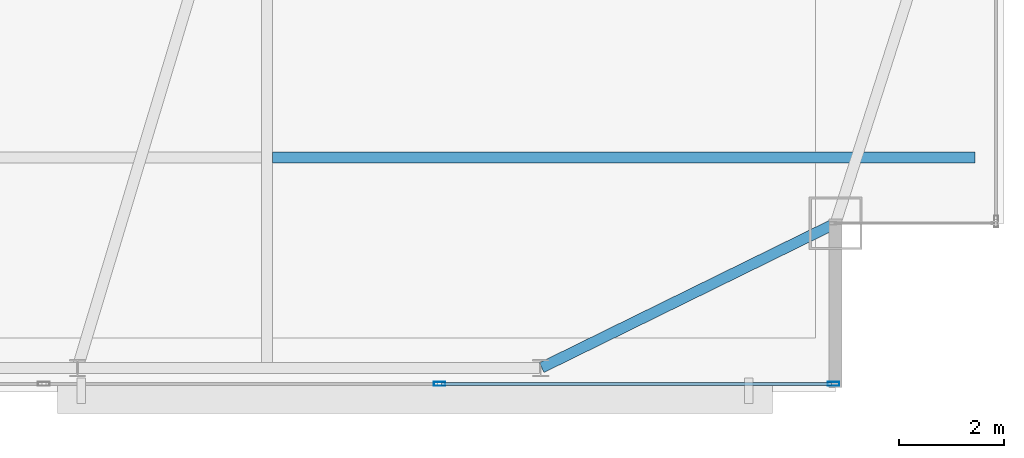
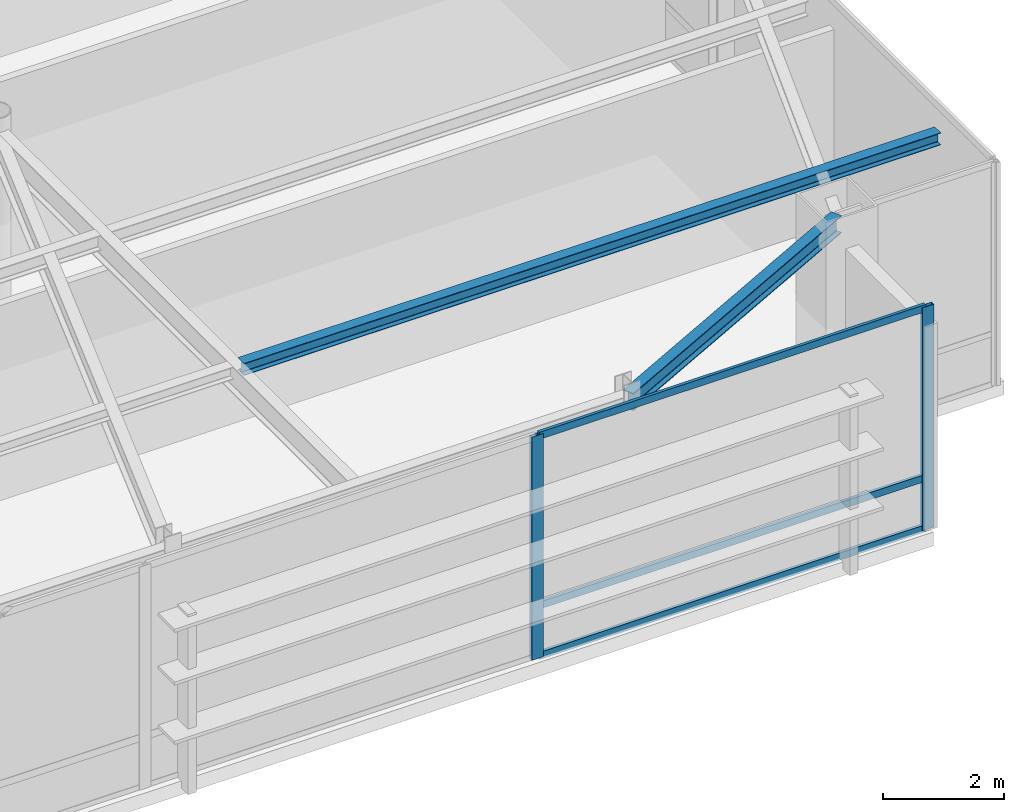
# One storey, part 13 of 21: 5 members, 2 beams, 1 element without a shape of its own.
"""IFC4 building model written with IfcOpenShell, lengths in metres."""

from ifc_helpers import new_model, si_unit, direction, frame, origin, origin_2d, place, context, subcontext, project, spatial, hollow_rectangle, i_section, extrude, source, transform, mapped, material, layer, layer_set, material_profile, profile_set, type_object, type_shapes, element, aggregate, save


model = new_model("IFC4")

# Units and contexts
model_context = context("Model", 3, precision=1e-05, world=origin(), true_north=direction((0.0, 1.0)))
body_context = subcontext(model_context, "Body", "Model", "MODEL_VIEW")
ifc_project = project(units=[si_unit("LENGTHUNIT", "METRE"), si_unit("AREAUNIT", "SQUARE_METRE"), si_unit("VOLUMEUNIT", "CUBIC_METRE"), si_unit("PLANEANGLEUNIT", "RADIAN"), si_unit("MASSUNIT", "GRAM", prefix="KILO")], contexts=[model_context])

# Site, building, storey
site_placement = place(None, origin())
site = spatial("IfcSite", under=ifc_project, at=site_placement, CompositionType="ELEMENT")
building_placement = place(site_placement, origin())
building = spatial("IfcBuilding", under=site, at=building_placement, Name="Varnel Quay Broadcast Tower", CompositionType="ELEMENT")
storey_placement = place(building_placement, frame((0.0, 0.0, 300.199951171875)))
storey = spatial("IfcBuildingStorey", under=building, at=storey_placement, Name="L75", CompositionType="ELEMENT", Elevation=300.199951171875)

# Beams
ifc_material_1 = material(Name="Structural Steel CSA G40.21 350W", Category="steel")
ifc_material_profile_1 = material_profile(ifc_material_1, i_section(OverallWidth=0.205078125, OverallDepth=0.35400390625, WebThickness=0.009521484375, FlangeThickness=0.016845703125, FilletRadius=0.012939453125, at=origin_2d()), Name="W360X79")
ifc_profile_set_1 = profile_set([ifc_material_profile_1], Name="Structural Steel CSA G40.21 350W")
beam_type_1 = type_object("IfcBeamType", Name="Beam_W360X79", PredefinedType="SPANDREL", material=ifc_profile_set_1)
shared_shape_1 = source(origin(), body_context, "Body", "SweptSolid", [
    extrude(i_section(OverallWidth=0.205078125, OverallDepth=0.35400390625, WebThickness=0.009521484375, FlangeThickness=0.016845703125, FilletRadius=0.012939453125, at=origin_2d()), origin(), (0.0, 0.0, 1.0), 6.19873046875),
])
type_shapes(beam_type_1, [shared_shape_1])
beam_1_placement = place(storey_placement, frame((47.218017578125, 13.65869140625, 4.343017578125), z_axis=(0.897602447358, 0.440805905697, 0.0), x_axis=(-0.440805905697, 0.897602447358, 0.0)))
element("IfcBeam", 1, at=beam_1_placement, inside=storey, type_object=beam_type_1, Name="L75 South Spandrel TC-S4-MC-SE", PredefinedType="SPANDREL", context=body_context, shape_type="MappedRepresentation", body=[
    mapped(shared_shape_1, transform((0.0, 0.0, 0.0), x_axis=(1.0, 0.0, 0.0), y_axis=(0.0, 1.0, 0.0), z_axis=(0.0, 0.0, 1.0), scale=1.0)),
])
ifc_material_profile_2 = material_profile(ifc_material_1, i_section(OverallWidth=0.201904296875, OverallDepth=0.2470703125, WebThickness=0.00732421875, FlangeThickness=0.010986328125, FilletRadius=0.010986328125, at=origin_2d()), Name="W250X49")
ifc_profile_set_2 = profile_set([ifc_material_profile_2], Name="Structural Steel CSA G40.21 350W")
beam_type_2 = type_object("IfcBeamType", Name="Beam_W250X49", PredefinedType="JOIST", material=ifc_profile_set_2)
shared_shape_2 = source(origin(), body_context, "Body", "SweptSolid", [
    extrude(i_section(OverallWidth=0.201904296875, OverallDepth=0.2470703125, WebThickness=0.00732421875, FlangeThickness=0.010986328125, FilletRadius=0.010986328125, at=origin_2d()), origin(), (0.0, 0.0, 1.0), 13.351318359375),
])
type_shapes(beam_type_2, [shared_shape_2])
beam_2_placement = place(storey_placement, frame((42.10107421875, 17.64990234375, 4.396484375), z_axis=(1.0, 0.0, 0.0), x_axis=(0.0, 1.0, 0.0)))
element("IfcBeam", 2, at=beam_2_placement, inside=storey, type_object=beam_type_2, Name="L75 East Floor Joist 1", PredefinedType="JOIST", context=body_context, shape_type="MappedRepresentation", body=[
    mapped(shared_shape_2, transform((0.0, 0.0, 0.0), x_axis=(1.0, 0.0, 0.0), y_axis=(0.0, 1.0, 0.0), z_axis=(0.0, 0.0, 1.0), scale=1.0)),
])

# Curtain wall, members
ifc_material_2 = material(Name="Anodised Bronze Aluminium 6063-T6", Category="aluminium")
ifc_layer = layer(ifc_material_2, 0.18994140625, Name="Anodised Bronze Aluminium 6063-T6")
ifc_layer_set = layer_set([ifc_layer], Name="Anodised Bronze Aluminium 6063-T6")
curtain_wall_type = type_object("IfcCurtainWallType", Name="CW_SkyObsHighVis", PredefinedType="NOTDEFINED", material=ifc_layer_set)
curtain_wall_placement = place(storey_placement, origin())
curtain_wall = element("IfcCurtainWall", 3, at=curtain_wall_placement, inside=storey, type_object=curtain_wall_type, Name="L75 South Unitised Curtain Wall 1", PredefinedType="NOTDEFINED")
ifc_material_profile_3 = material_profile(ifc_material_2, hollow_rectangle(XDim=0.074951171875, YDim=0.219970703125, WallThickness=0.00390625, at=origin_2d()), Name="ALU75X220X4")
ifc_profile_set_3 = profile_set([ifc_material_profile_3], Name="Anodised Bronze Aluminium 6063-T6")
member_type_1 = type_object("IfcMemberType", Name="Mull_CWS-05", PredefinedType="MULLION", material=ifc_profile_set_3)
shared_shape_3 = source(origin(), body_context, "Body", "SweptSolid", [
    extrude(hollow_rectangle(XDim=0.074951171875, YDim=0.219970703125, WallThickness=0.00390625, at=origin_2d()), origin(), (0.0, 0.0, 1.0), 4.52001953125),
])
type_shapes(member_type_1, [shared_shape_3])
member_1_placement = place(storey_placement, frame((45.280029296875, 13.35009765625, 0.0), z_axis=(0.0, 0.0, 1.0), x_axis=(0.0, 1.0, 0.0)))
member_1 = element("IfcMember", 4, at=member_1_placement, type_object=member_type_1, Name="CWS-05 mullion 5", PredefinedType="MULLION", context=body_context, shape_type="MappedRepresentation", body=[
    mapped(shared_shape_3, transform((0.0, 0.0, 0.0), x_axis=(1.0, 0.0, 0.0), y_axis=(0.0, 1.0, 0.0), z_axis=(0.0, 0.0, 1.0), scale=1.0)),
])
member_2_placement = place(storey_placement, frame((52.762451171875, 13.35009765625, 0.0), z_axis=(0.0, 0.0, 1.0), x_axis=(0.0, 1.0, 0.0)))
member_2 = element("IfcMember", 5, at=member_2_placement, type_object=member_type_1, Name="CWS-05 mullion 6", PredefinedType="MULLION", context=body_context, shape_type="MappedRepresentation", body=[
    mapped(shared_shape_3, transform((0.0, 0.0, 0.0), x_axis=(1.0, 0.0, 0.0), y_axis=(0.0, 1.0, 0.0), z_axis=(0.0, 0.0, 1.0), scale=1.0)),
])
ifc_material_profile_4 = material_profile(ifc_material_2, hollow_rectangle(XDim=0.06005859375, YDim=0.14501953125, WallThickness=0.00341796875, at=origin_2d()), Name="ALU60X145X3.5")
ifc_profile_set_4 = profile_set([ifc_material_profile_4], Name="Anodised Bronze Aluminium 6063-T6")
member_type_2 = type_object("IfcMemberType", Name="Tran_CWS-05", PredefinedType="USERDEFINED", material=ifc_profile_set_4)
shared_shape_4 = source(origin(), body_context, "Body", "SweptSolid", [
    extrude(hollow_rectangle(XDim=0.06005859375, YDim=0.14501953125, WallThickness=0.00341796875, at=origin_2d()), origin(), (0.0, 0.0, 1.0), 7.40771484375),
])
type_shapes(member_type_2, [shared_shape_4])
member_3_placement = place(storey_placement, frame((45.3173828125, 13.35009765625, 0.030029296875), z_axis=(1.0, 0.0, 0.0), x_axis=(0.0, 1.0, 0.0)))
member_3 = element("IfcMember", 6, at=member_3_placement, type_object=member_type_2, Name="CWS-05 transom 5.1", ObjectType="TRANSOM", PredefinedType="USERDEFINED", context=body_context, shape_type="MappedRepresentation", body=[
    mapped(shared_shape_4, transform((0.0, 0.0, 0.0), x_axis=(1.0, 0.0, 0.0), y_axis=(0.0, 1.0, 0.0), z_axis=(0.0, 0.0, 1.0), scale=1.0)),
])
member_4_placement = place(storey_placement, frame((45.3173828125, 13.35009765625, 1.050048828125), z_axis=(1.0, 0.0, 0.0), x_axis=(0.0, 1.0, 0.0)))
member_4 = element("IfcMember", 7, at=member_4_placement, type_object=member_type_2, Name="CWS-05 transom 5.2", ObjectType="TRANSOM", PredefinedType="USERDEFINED", context=body_context, shape_type="MappedRepresentation", body=[
    mapped(shared_shape_4, transform((0.0, 0.0, 0.0), x_axis=(1.0, 0.0, 0.0), y_axis=(0.0, 1.0, 0.0), z_axis=(0.0, 0.0, 1.0), scale=1.0)),
])
member_5_placement = place(storey_placement, frame((45.3173828125, 13.35009765625, 4.489990234375), z_axis=(1.0, 0.0, 0.0), x_axis=(0.0, 1.0, 0.0)))
member_5 = element("IfcMember", 8, at=member_5_placement, type_object=member_type_2, Name="CWS-05 transom 5.3", ObjectType="TRANSOM", PredefinedType="USERDEFINED", context=body_context, shape_type="MappedRepresentation", body=[
    mapped(shared_shape_4, transform((0.0, 0.0, 0.0), x_axis=(1.0, 0.0, 0.0), y_axis=(0.0, 1.0, 0.0), z_axis=(0.0, 0.0, 1.0), scale=1.0)),
])
aggregate(curtain_wall, [member_1, member_2, member_3, member_4, member_5])

save(model, "model.ifc")
